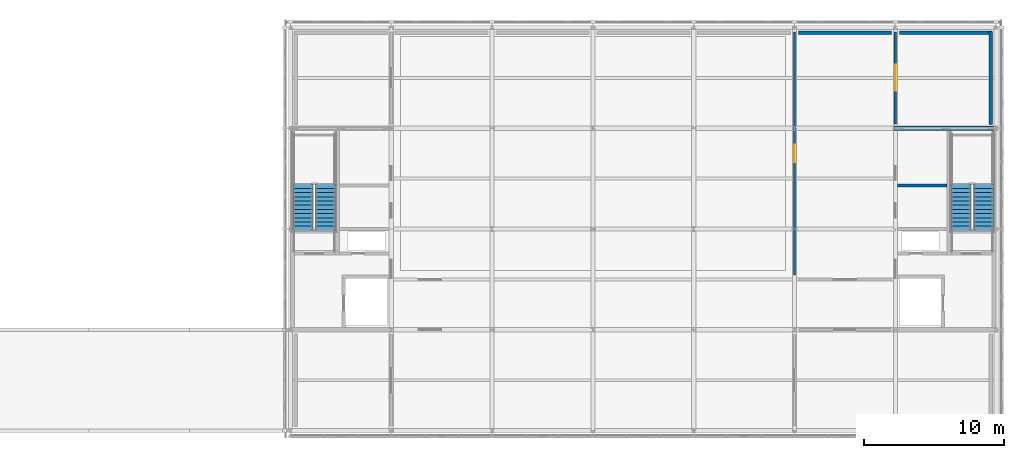
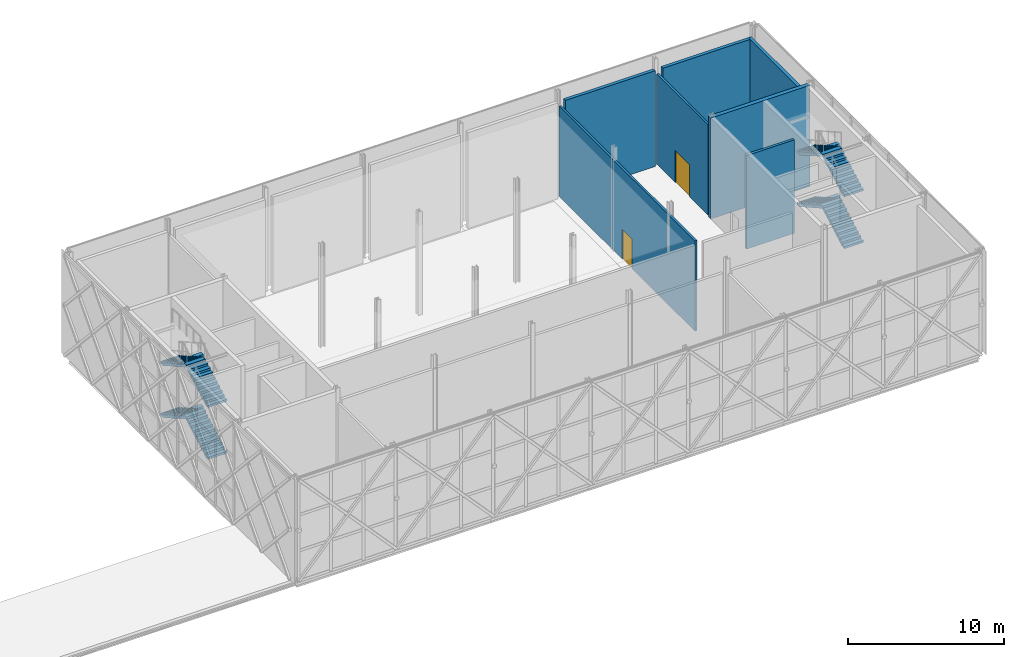
# One storey, part 71 of 76: 8 stair flights, 7 walls, 2 doors, 2 openings, 2 elements without a shape of their own.
"""IFC4 building model written with IfcOpenShell, lengths in metres."""

import ifcopenshell
import ifcopenshell.guid

model = None  # the IFC model being written
_history = None  # IfcOwnerHistory: only IFC2X3 demands one
_inside = {}  # id of a spatial element -> (the spatial element, [elements in it])
_under = {}  # id of a project, library or spatial element -> (it, [spatial elements below it])
_declared = {}  # id of a project -> (the project, [libraries it declares])
_typed = {}  # id of a type object -> (the type object, [elements of that type])
_made_of = {}  # id of a material, layer set ... -> (it, [elements and type objects made of it])


def new_model(schema):
    """Start an empty IFC model of exactly this schema.

    Asked for "IFC4X3", IfcOpenShell would pick the latest addendum, in which some entities
    have other attributes; the version numbers below select the first issue.
    IFC2X3 requires an IfcOwnerHistory on every rooted entity: one is made here for all.
    """
    global model, _history
    if schema == "IFC4X3":
        model = ifcopenshell.file(schema_version=(4, 3, 0, 0))
    else:
        model = ifcopenshell.file(schema=schema)
    _inside.clear()
    _under.clear()
    _declared.clear()
    _typed.clear()
    _made_of.clear()
    _history = None
    if model.schema == "IFC2X3":
        org = make("IfcOrganization", Name="unknown")
        user = make(
            "IfcPersonAndOrganization",
            ThePerson=make("IfcPerson", FamilyName="unknown"),
            TheOrganization=org,
        )
        app = make(
            "IfcApplication",
            ApplicationDeveloper=org,
            Version="unknown",
            ApplicationFullName="unknown",
            ApplicationIdentifier="unknown",
        )
        _history = make(
            "IfcOwnerHistory",
            OwningUser=user,
            OwningApplication=app,
            ChangeAction="ADDED",
            CreationDate=0,
        )
    return model


def make(cls, **values):
    """One entity of the class cls with the attributes given. An attribute that is None is left unset."""
    return model.create_entity(
        cls, **{name: value for name, value in values.items() if value is not None}
    )


def rooted(cls, **values):
    """An entity with a GlobalId (a new one), such as an element, a storey or a relation."""
    return make(cls, GlobalId=ifcopenshell.guid.new(), OwnerHistory=_history, **values)


def si_unit(unit_type, name, prefix=None):
    """IfcSIUnit, for example si_unit("LENGTHUNIT", "METRE", prefix="MILLI")."""
    return make("IfcSIUnit", UnitType=unit_type, Prefix=prefix, Name=name)


def assignment(units):
    """IfcUnitAssignment: the units of a project."""
    return None if units is None else make("IfcUnitAssignment", Units=units)


def point(xyz):
    """IfcCartesianPoint."""
    return None if xyz is None else make("IfcCartesianPoint", Coordinates=xyz)


def direction(xyz):
    """IfcDirection."""
    return None if xyz is None else make("IfcDirection", DirectionRatios=xyz)


def frame(location, z_axis=None, x_axis=None):
    """IfcAxis2Placement3D, a coordinate frame: its origin and axes. An axis left out is left unset."""
    return make(
        "IfcAxis2Placement3D",
        Location=point(location),
        Axis=direction(z_axis),
        RefDirection=direction(x_axis),
    )


def frame_2d(location, x_axis=None):
    """IfcAxis2Placement2D, a coordinate frame in the plane: its origin and x axis."""
    return make(
        "IfcAxis2Placement2D", Location=point(location), RefDirection=direction(x_axis)
    )


def origin():
    """The frame at (0, 0, 0) with its axes left unset."""
    return frame((0.0, 0.0, 0.0))


def place(relative_to, where):
    """IfcLocalPlacement: puts the frame where relative to a parent placement (None: the world)."""
    return make(
        "IfcLocalPlacement", PlacementRelTo=relative_to, RelativePlacement=where
    )


def context(
    kind, dimensions, precision=None, world=None, true_north=None, identifier=None
):
    """IfcGeometricRepresentationContext, for example the 3D "Model" context."""
    return make(
        "IfcGeometricRepresentationContext",
        ContextIdentifier=identifier,
        ContextType=kind,
        CoordinateSpaceDimension=dimensions,
        Precision=precision,
        WorldCoordinateSystem=world,
        TrueNorth=true_north,
    )


def subcontext(parent, identifier, kind, view, scale=None):
    """IfcGeometricRepresentationSubContext, for example "Body" below "Model"."""
    return make(
        "IfcGeometricRepresentationSubContext",
        ContextIdentifier=identifier,
        ContextType=kind,
        ParentContext=parent,
        TargetScale=scale,
        TargetView=view,
    )


def project(units=None, contexts=None):
    """IfcProject with its units and contexts."""
    return rooted(
        "IfcProject",
        Name="project",
        RepresentationContexts=contexts,
        UnitsInContext=assignment(units),
    )


def spatial(cls, under=None, at=None, **own):
    """A site, building, storey or space (cls), placed at a placement, below another one or the project."""
    s = rooted(cls, ObjectPlacement=at, **own)
    if under is not None:
        _under.setdefault(under.id(), (under, []))[1].append(s)
    return s


def polyline(points):
    """IfcPolyline through the points."""
    return make("IfcPolyline", Points=[point(p) for p in points])


def profile(cls, at=None, kind="AREA", **sizes):
    """A parametric profile (cls). Its sizes go by their IFC names, for example OverallWidth=200.0."""
    return make(cls, ProfileType=kind, Position=at, **sizes)


def rectangle(**sizes):
    """IfcRectangleProfileDef."""
    return profile("IfcRectangleProfileDef", **sizes)


def outline(outer, holes=None, kind="AREA"):
    """IfcArbitraryClosedProfileDef: a profile drawn as a closed curve; with holes, ...WithVoids."""
    if holes is None:
        return make("IfcArbitraryClosedProfileDef", ProfileType=kind, OuterCurve=outer)
    return make(
        "IfcArbitraryProfileDefWithVoids",
        ProfileType=kind,
        OuterCurve=outer,
        InnerCurves=holes,
    )


def extrude(swept, where, along, depth):
    """IfcExtrudedAreaSolid: the profile swept, set in the frame where, extruded along a direction by depth."""
    return make(
        "IfcExtrudedAreaSolid",
        SweptArea=swept,
        Position=where,
        ExtrudedDirection=direction(along),
        Depth=depth,
    )


def shape(context_of_items, identifier, shape_type, items):
    """IfcShapeRepresentation: the items that make up one representation, for example the "Body"."""
    return make(
        "IfcShapeRepresentation",
        ContextOfItems=context_of_items,
        RepresentationIdentifier=identifier,
        RepresentationType=shape_type,
        Items=items,
    )


def material(Name=None, Category=None):
    """IfcMaterial."""
    return make("IfcMaterial", Name=Name, Category=Category)


def layer(
    of_material, thickness, ventilated=None, Name=None, Category=None, Priority=None
):
    """IfcMaterialLayer: one layer of a wall or slab, of a material (None: an air gap)."""
    return make(
        "IfcMaterialLayer",
        Material=of_material,
        LayerThickness=thickness,
        IsVentilated=ventilated,
        Name=Name,
        Category=Category,
        Priority=Priority,
    )


def layer_set(layers, Name=None):
    """IfcMaterialLayerSet."""
    return make("IfcMaterialLayerSet", MaterialLayers=layers, LayerSetName=Name)


def made_of(thing, what):
    """Note that an element or type object is made of a material, layer set ...; save() writes the relation."""
    if what is not None:
        _made_of.setdefault(what.id(), (what, []))[1].append(thing)
    return thing


def type_object(cls, material=None, **own):
    """A type object (cls), such as IfcWallType, which elements share."""
    return made_of(rooted(cls, **own), material)


def element(
    cls,
    number,
    at=None,
    inside=None,
    cuts=None,
    type_object=None,
    material=None,
    context=None,
    identifier="Body",
    shape_type=None,
    held_by="IfcProductDefinitionShape",
    body=None,
    shapes=None,
    **own,
):
    """One element of the class cls, such as IfcWall. Its Tag is "e" and its number.

    at: its placement. inside: the storey or other place that contains it. cuts: it is an
    opening in that element (IfcRelVoidsElement). A single representation is given by context,
    identifier, shape_type and body (its items); several are given by shapes. held_by: the class
    of the entity that holds the representations. save() writes the other relations.
    """
    e = rooted(cls, Tag="e%d" % number, ObjectPlacement=at, **own)
    if body is not None:
        shapes = [shape(context, identifier, shape_type, body)]
    if shapes is not None:
        e.Representation = make(held_by, Representations=shapes)
    if inside is not None:
        _inside.setdefault(inside.id(), (inside, []))[1].append(e)
    if cuts is not None:
        rooted(
            "IfcRelVoidsElement", RelatingBuildingElement=cuts, RelatedOpeningElement=e
        )
    if type_object is not None:
        _typed.setdefault(type_object.id(), (type_object, []))[1].append(e)
    return made_of(e, material)


def fill(opening, filler):
    """IfcRelFillsElement: the door or window that sits in an opening."""
    return rooted(
        "IfcRelFillsElement",
        RelatingOpeningElement=opening,
        RelatedBuildingElement=filler,
    )


def aggregate(whole, parts):
    """IfcRelAggregates: a whole, such as a stair, and the parts it consists of."""
    return rooted("IfcRelAggregates", RelatingObject=whole, RelatedObjects=parts)


def save(model, path):
    """Write the relations noted so far, then the file.

    IfcRelAggregates (storeys below a building ...), IfcRelContainedInSpatialStructure (elements
    in a storey), IfcRelDefinesByType, IfcRelAssociatesMaterial and IfcRelDeclares: one each for
    every whole, place, type object, material and project.
    """
    for whole, parts in _under.values():
        aggregate(whole, parts)
    for where, things in _inside.values():
        rooted(
            "IfcRelContainedInSpatialStructure",
            RelatedElements=things,
            RelatingStructure=where,
        )
    for kind, things in _typed.values():
        rooted("IfcRelDefinesByType", RelatedObjects=things, RelatingType=kind)
    for what, things in _made_of.values():
        rooted("IfcRelAssociatesMaterial", RelatedObjects=things, RelatingMaterial=what)
    for by, libraries in _declared.values():
        rooted("IfcRelDeclares", RelatingContext=by, RelatedDefinitions=libraries)
    model.write(path)


model = new_model("IFC4")

# Units and contexts
model_context = context("Model", 3, precision=1e-05, world=origin(), true_north=direction((0.0, 1.0)))
body_context = subcontext(model_context, "Body", "Model", "MODEL_VIEW")
ifc_project = project(units=[si_unit("LENGTHUNIT", "METRE"), si_unit("AREAUNIT", "SQUARE_METRE"), si_unit("VOLUMEUNIT", "CUBIC_METRE"), si_unit("PLANEANGLEUNIT", "RADIAN"), si_unit("MASSUNIT", "GRAM", prefix="KILO")], contexts=[model_context])

# Site, building, storey
site_placement = place(None, origin())
site = spatial("IfcSite", under=ifc_project, at=site_placement, CompositionType="ELEMENT")
building_placement = place(site_placement, origin())
building = spatial("IfcBuilding", under=site, at=building_placement, Name="Zlatovets Crest Museum", CompositionType="ELEMENT")
storey_placement = place(building_placement, frame((0.0, 0.0, 17.10009765625)))
storey = spatial("IfcBuildingStorey", under=building, at=storey_placement, Name="L04", CompositionType="ELEMENT", Elevation=17.10009765625)

# Walls
ifc_material_1 = material(Name="Concrete C35/45", Category="concrete")
ifc_layer_1 = layer(ifc_material_1, 0.300048828125)
ifc_layer_set_1 = layer_set([ifc_layer_1], Name="Concrete C35/45")
wall_type_1 = type_object("IfcWallType", Name="CoreWall_SW01", PredefinedType="SHEAR", material=ifc_layer_set_1)
wall_1_placement = place(storey_placement, frame((100.64990234375, 108.0, 0.0), z_axis=(0.0, 0.0, 1.0), x_axis=(1.0, 0.0, 0.0)))
element("IfcWall", 1, at=wall_1_placement, inside=storey, type_object=wall_type_1, Name="Core C6 L04 North Shear Wall", PredefinedType="SHEAR", context=body_context, shape_type="SweptSolid", body=[
    extrude(rectangle(XDim=7.35009765625, YDim=0.300048828125, at=frame_2d((3.675048828125, 0.0))), origin(), (0.0, 0.0, 1.0), 7.8798828125),
])
ifc_material_2 = material(Name="Insulated gallery conservation liner wall", Category="concrete")
ifc_layer_2 = layer(ifc_material_2, 0.300048828125)
ifc_layer_set_2 = layer_set([ifc_layer_2], Name="Insulated gallery conservation liner wall")
wall_type_2 = type_object("IfcWallType", Name="ExtWall_EW-02", PredefinedType="STANDARD", material=ifc_layer_set_2)
for number, where, z_axis, x_axis, name in (
    (2, (107.6201171875, 108.280029296875, 0.0), (0.0, 0.0, 1.0), (0.0, 1.0, 0.0), "V1 L04 Interior Conservation Gallery Liner Wall"),
    (3, (107.719970703125, 114.820068359375, 0.0), (0.0, 0.0, 1.0), (-1.0, 0.0, 0.0), "V1 L04 Interior Conservation Gallery Liner Wall"),
):
    element("IfcWall", number, at=place(storey_placement, frame(where, z_axis=z_axis, x_axis=x_axis)), inside=storey, type_object=wall_type_2, Name=name, PredefinedType="STANDARD", context=body_context, shape_type="SweptSolid", body=[
        extrude(rectangle(XDim=6.639892578125, YDim=0.239990234375, at=frame_2d((3.31982421875, 0.0))), origin(), (0.0, 0.0, 1.0), 7.47998046875),
    ])
wall_2_placement = place(storey_placement, frame((100.52001953125, 114.820068359375, 0.0), z_axis=(0.0, 0.0, 1.0), x_axis=(-1.0, 0.0, 0.0)))
element("IfcWall", 4, at=wall_2_placement, inside=storey, type_object=wall_type_2, Name="V1 L04 Interior Conservation Gallery Liner Wall", PredefinedType="STANDARD", context=body_context, shape_type="SweptSolid", body=[
    extrude(rectangle(XDim=6.64013671875, YDim=0.239990234375, at=frame_2d((3.320068359375, 0.0))), origin(), (0.0, 0.0, 1.0), 7.47998046875),
])

# Wall, opening, door
ifc_material_3 = material(Name="Acoustic museum gallery stud partition")
ifc_layer_3 = layer(ifc_material_3, 0.159912109375)
ifc_layer_set_3 = layer_set([ifc_layer_3], Name="Acoustic museum gallery stud partition")
wall_type_3 = type_object("IfcWallType", Name="PartWall_PT-02", PredefinedType="PARTITIONING", material=ifc_layer_set_3)
wall_3_placement = place(storey_placement, frame((93.60009765625, 97.52001953125, 0.0), z_axis=(0.0, 0.0, 1.0), x_axis=(0.0, 1.0, 0.0)))
wall_3 = element("IfcWall", 5, at=wall_3_placement, inside=storey, type_object=wall_type_3, Name="V1 L04 Interior Partition PT-02", PredefinedType="PARTITIONING", context=body_context, shape_type="SweptSolid", body=[
    extrude(rectangle(XDim=17.35986328125, YDim=0.159912109375, at=frame_2d((8.679931640625, 0.0))), origin(), (0.0, 0.0, 1.0), 7.0498046875),
])
opening_1_placement = place(wall_3_placement, frame((8.054931640625, 0.0, 0.0)))
opening_1 = element("IfcOpeningElement", 6, at=opening_1_placement, cuts=wall_3, Name="Opening ID-11", PredefinedType="OPENING", context=body_context, shape_type="SweptSolid", body=[
    extrude(rectangle(XDim=1.25, YDim=2.300048828125, at=frame_2d((0.625, 1.14990234375))), frame((0.0, 0.08984375, 0.0), z_axis=(0.0, -1.0, 0.0), x_axis=(1.0, 0.0, 0.0)), (0.0, 0.0, 1.0), 0.179931640625),
])
ifc_material_4 = material(Name="Conservation lab wide leaf door")
door_type_1 = type_object("IfcDoorType", Name="IntDoor_ID-11", OperationType="NOTDEFINED", PredefinedType="DOOR", material=ifc_material_4)
door_1_placement = place(opening_1_placement, origin())
door_1 = element("IfcDoor", 7, at=door_1_placement, inside=storey, type_object=door_type_1, Name="IDOOR-V1-L04-0212 Double-Height Grand Sculpture Hall to Monumental Painting Conservation Studio Door", OperationType="SINGLE_SWING_LEFT", OverallHeight=2.300048828125, OverallWidth=1.25, PredefinedType="DOOR", context=body_context, shape_type="SweptSolid", body=[
    extrude(rectangle(XDim=1.25, YDim=2.300048828125, at=frame_2d((0.625, 1.14990234375))), frame((0.0, 0.02490234375, 0.0), z_axis=(0.0, -1.0, 0.0), x_axis=(1.0, 0.0, 0.0)), (0.0, 0.0, 1.0), 0.050048828125),
])
fill(opening_1, door_1)

wall_4_placement = place(storey_placement, frame((100.800048828125, 108.320068359375, 0.0), z_axis=(0.0, 0.0, 1.0), x_axis=(0.0, 1.0, 0.0)))
wall_4 = element("IfcWall", 8, at=wall_4_placement, inside=storey, type_object=wall_type_3, Name="V1 L04 Interior Partition PT-02", PredefinedType="PARTITIONING", context=body_context, shape_type="SweptSolid", body=[
    extrude(rectangle(XDim=6.559814453125, YDim=0.159912109375, at=frame_2d((3.27978515625, 0.0))), origin(), (0.0, 0.0, 1.0), 7.0498046875),
])
opening_2_placement = place(wall_4_placement, frame((2.35498046875, 0.0, 0.0)))
opening_2 = element("IfcOpeningElement", 9, at=opening_2_placement, cuts=wall_4, Name="Opening ID-15", PredefinedType="OPENING", context=body_context, shape_type="SweptSolid", body=[
    extrude(rectangle(XDim=1.85009765625, YDim=2.5, at=frame_2d((0.925048828125, 1.25))), frame((0.0, 0.08984375, 0.0), z_axis=(0.0, -1.0, 0.0), x_axis=(1.0, 0.0, 0.0)), (0.0, 0.0, 1.0), 0.179931640625),
])
ifc_material_5 = material(Name="Painting gallery enfilade portal")
door_type_2 = type_object("IfcDoorType", Name="IntDoor_ID-15", OperationType="DOUBLE_DOOR_SINGLE_SWING", PredefinedType="DOOR", material=ifc_material_5)
door_2_placement = place(opening_2_placement, origin())
door_2 = element("IfcDoor", 10, at=door_2_placement, inside=storey, type_object=door_type_2, Name="IDOOR-V1-L04-0216 Monumental Painting Conservation Studio to Frieze Photogrammetry Lab Door", OperationType="DOUBLE_DOOR_SINGLE_SWING", OverallHeight=2.5, OverallWidth=1.85009765625, PredefinedType="DOOR", context=body_context, shape_type="SweptSolid", body=[
    extrude(rectangle(XDim=1.85009765625, YDim=2.5, at=frame_2d((0.925048828125, 1.25))), frame((0.0, 0.02490234375, 0.0), z_axis=(0.0, -1.0, 0.0), x_axis=(1.0, 0.0, 0.0)), (0.0, 0.0, 1.0), 0.050048828125),
])
fill(opening_2, door_2)

# Wall
ifc_material_6 = material(Name="Sanitary core acoustic service wall")
ifc_layer_4 = layer(ifc_material_6, 0.219970703125)
ifc_layer_set_4 = layer_set([ifc_layer_4], Name="Sanitary core acoustic service wall")
wall_type_4 = type_object("IfcWallType", Name="PartWall_PT-04", PredefinedType="PLUMBINGWALL", material=ifc_layer_set_4)
wall_5_placement = place(storey_placement, frame((100.949951171875, 103.89990234375, 0.0), z_axis=(0.0, 0.0, 1.0), x_axis=(1.0, 0.0, 0.0)))
element("IfcWall", 11, at=wall_5_placement, inside=storey, type_object=wall_type_4, Name="Core C6 L04 Sanitary Divider", PredefinedType="PLUMBINGWALL", context=body_context, shape_type="SweptSolid", body=[
    extrude(rectangle(XDim=3.550048828125, YDim=0.199951171875, at=frame_2d((1.77490234375, 0.0))), origin(), (0.0, 0.0, 1.0), 7.2998046875),
])

# Stair, stair flights
stair_type_1 = type_object("IfcStairType", Name="Stair_ST1-48R", PredefinedType="HALF_TURN_STAIR", material=ifc_material_1)
stair_1_placement = place(storey_placement, origin())
stair_1 = element("IfcStair", 12, at=stair_1_placement, inside=storey, type_object=stair_type_1, Name="L04 Core C1 Escape Stair ST1", PredefinedType="HALF_TURN_STAIR")
stair_flight_type_1 = type_object("IfcStairFlightType", Name="Flight_ST1F-12R", PredefinedType="STRAIGHT", material=ifc_material_1)
stair_flight_1_placement = place(storey_placement, frame((60.10009765625, 100.699951171875, 0.0), z_axis=(0.0, 0.0, 1.0), x_axis=(0.0, 1.0, 0.0)))
stair_flight_1 = element("IfcStairFlight", 13, at=stair_flight_1_placement, type_object=stair_flight_type_1, Name="ST1 flight 1", NumberOfRisers=12, NumberOfTreads=11, PredefinedType="STRAIGHT", RiserHeight=0.16875, TreadLength=0.3, context=body_context, shape_type="SweptSolid", body=[
    extrude(outline(polyline([(0.0, 0.0), (0.0, 0.168701171875), (0.300048828125, 0.168701171875), (0.300048828125, 0.33740234375), (0.60009765625, 0.33740234375), (0.60009765625, 0.50634765625), (0.89990234375, 0.50634765625), (0.89990234375, 0.675048828125), (1.199951171875, 0.675048828125), (1.199951171875, 0.84375), (1.5, 0.84375), (1.5, 1.012451171875), (1.800048828125, 1.012451171875), (1.800048828125, 1.18115234375), (2.10009765625, 1.18115234375), (2.10009765625, 1.35009765625), (2.39990234375, 1.35009765625), (2.39990234375, 1.518798828125), (2.699951171875, 1.518798828125), (2.699951171875, 1.6875), (3.0, 1.6875), (3.0, 1.856201171875), (3.300048828125, 1.856201171875), (3.300048828125, 2.02490234375), (3.300048828125, 1.684326171875), (0.3056640625, 0.0), (0.0, 0.0)])), frame((0.0, 0.699951171875, 0.0), z_axis=(0.0, -1.0, 0.0), x_axis=(1.0, 0.0, 0.0)), (0.0, 0.0, 1.0), 1.39990234375),
])
stair_flight_2_placement = place(storey_placement, frame((58.5, 104.0, 2.02490234375), z_axis=(0.0, 0.0, 1.0), x_axis=(0.0, -1.0, 0.0)))
stair_flight_2 = element("IfcStairFlight", 14, at=stair_flight_2_placement, type_object=stair_flight_type_1, Name="ST1 flight 2", NumberOfRisers=12, NumberOfTreads=11, PredefinedType="STRAIGHT", RiserHeight=0.16875, TreadLength=0.3, context=body_context, shape_type="SweptSolid", body=[
    extrude(outline(polyline([(0.0, 0.0), (0.0, 0.168701171875), (0.300048828125, 0.168701171875), (0.300048828125, 0.33740234375), (0.60009765625, 0.33740234375), (0.60009765625, 0.50634765625), (0.89990234375, 0.50634765625), (0.89990234375, 0.675048828125), (1.199951171875, 0.675048828125), (1.199951171875, 0.84375), (1.5, 0.84375), (1.5, 1.012451171875), (1.800048828125, 1.012451171875), (1.800048828125, 1.18115234375), (2.10009765625, 1.18115234375), (2.10009765625, 1.35009765625), (2.39990234375, 1.35009765625), (2.39990234375, 1.518798828125), (2.699951171875, 1.518798828125), (2.699951171875, 1.6875), (3.0, 1.6875), (3.0, 1.856201171875), (3.300048828125, 1.856201171875), (3.300048828125, 2.02490234375), (3.300048828125, 1.684326171875), (0.3056640625, 0.0), (0.0, 0.0)])), frame((0.0, 0.699951171875, 0.0), z_axis=(0.0, -1.0, 0.0), x_axis=(1.0, 0.0, 0.0)), (0.0, 0.0, 1.0), 1.39990234375),
])
stair_flight_3_placement = place(storey_placement, frame((60.10009765625, 100.699951171875, 4.0498046875), z_axis=(0.0, 0.0, 1.0), x_axis=(0.0, 1.0, 0.0)))
stair_flight_3 = element("IfcStairFlight", 15, at=stair_flight_3_placement, type_object=stair_flight_type_1, Name="ST1 flight 3", NumberOfRisers=12, NumberOfTreads=11, PredefinedType="STRAIGHT", RiserHeight=0.16875, TreadLength=0.3, context=body_context, shape_type="SweptSolid", body=[
    extrude(outline(polyline([(0.0, 0.0), (0.0, 0.168701171875), (0.300048828125, 0.168701171875), (0.300048828125, 0.33740234375), (0.60009765625, 0.33740234375), (0.60009765625, 0.50634765625), (0.89990234375, 0.50634765625), (0.89990234375, 0.675048828125), (1.199951171875, 0.675048828125), (1.199951171875, 0.84375), (1.5, 0.84375), (1.5, 1.012451171875), (1.800048828125, 1.012451171875), (1.800048828125, 1.18115234375), (2.10009765625, 1.18115234375), (2.10009765625, 1.35009765625), (2.39990234375, 1.35009765625), (2.39990234375, 1.518798828125), (2.699951171875, 1.518798828125), (2.699951171875, 1.6875), (3.0, 1.6875), (3.0, 1.856201171875), (3.300048828125, 1.856201171875), (3.300048828125, 2.02490234375), (3.300048828125, 1.684326171875), (0.3056640625, 0.0), (0.0, 0.0)])), frame((0.0, 0.699951171875, 0.0), z_axis=(0.0, -1.0, 0.0), x_axis=(1.0, 0.0, 0.0)), (0.0, 0.0, 1.0), 1.39990234375),
])
stair_flight_4_placement = place(storey_placement, frame((58.5, 104.0, 6.074951171875), z_axis=(0.0, 0.0, 1.0), x_axis=(0.0, -1.0, 0.0)))
stair_flight_4 = element("IfcStairFlight", 16, at=stair_flight_4_placement, type_object=stair_flight_type_1, Name="ST1 flight 4", NumberOfRisers=12, NumberOfTreads=11, PredefinedType="STRAIGHT", RiserHeight=0.16875, TreadLength=0.3, context=body_context, shape_type="SweptSolid", body=[
    extrude(outline(polyline([(0.0, 0.0), (0.0, 0.168701171875), (0.300048828125, 0.168701171875), (0.300048828125, 0.33740234375), (0.60009765625, 0.33740234375), (0.60009765625, 0.50634765625), (0.89990234375, 0.50634765625), (0.89990234375, 0.675048828125), (1.199951171875, 0.675048828125), (1.199951171875, 0.84375), (1.5, 0.84375), (1.5, 1.012451171875), (1.800048828125, 1.012451171875), (1.800048828125, 1.18115234375), (2.10009765625, 1.18115234375), (2.10009765625, 1.35009765625), (2.39990234375, 1.35009765625), (2.39990234375, 1.518798828125), (2.699951171875, 1.518798828125), (2.699951171875, 1.6875), (3.0, 1.6875), (3.0, 1.856201171875), (3.300048828125, 1.856201171875), (3.300048828125, 2.02490234375), (3.300048828125, 1.684326171875), (0.3056640625, 0.0), (0.0, 0.0)])), frame((0.0, 0.699951171875, 0.0), z_axis=(0.0, -1.0, 0.0), x_axis=(1.0, 0.0, 0.0)), (0.0, 0.0, 1.0), 1.39990234375),
])
aggregate(stair_1, [stair_flight_1, stair_flight_2, stair_flight_3, stair_flight_4])

stair_type_2 = type_object("IfcStairType", Name="Stair_ST7-48R", PredefinedType="HALF_TURN_STAIR", material=ifc_material_1)
stair_2_placement = place(storey_placement, origin())
stair_2 = element("IfcStair", 17, at=stair_2_placement, inside=storey, type_object=stair_type_2, Name="L04 Core C6 Escape Stair ST7", PredefinedType="HALF_TURN_STAIR")
stair_flight_type_2 = type_object("IfcStairFlightType", Name="Flight_ST7F-12R", PredefinedType="STRAIGHT", material=ifc_material_1)
stair_flight_5_placement = place(storey_placement, frame((107.10009765625, 100.699951171875, 0.0), z_axis=(0.0, 0.0, 1.0), x_axis=(0.0, 1.0, 0.0)))
stair_flight_5 = element("IfcStairFlight", 18, at=stair_flight_5_placement, type_object=stair_flight_type_2, Name="ST7 flight 1", NumberOfRisers=12, NumberOfTreads=11, PredefinedType="STRAIGHT", RiserHeight=0.16875, TreadLength=0.3, context=body_context, shape_type="SweptSolid", body=[
    extrude(outline(polyline([(0.0, 0.0), (0.0, 0.168701171875), (0.300048828125, 0.168701171875), (0.300048828125, 0.33740234375), (0.60009765625, 0.33740234375), (0.60009765625, 0.50634765625), (0.89990234375, 0.50634765625), (0.89990234375, 0.675048828125), (1.199951171875, 0.675048828125), (1.199951171875, 0.84375), (1.5, 0.84375), (1.5, 1.012451171875), (1.800048828125, 1.012451171875), (1.800048828125, 1.18115234375), (2.10009765625, 1.18115234375), (2.10009765625, 1.35009765625), (2.39990234375, 1.35009765625), (2.39990234375, 1.518798828125), (2.699951171875, 1.518798828125), (2.699951171875, 1.6875), (3.0, 1.6875), (3.0, 1.856201171875), (3.300048828125, 1.856201171875), (3.300048828125, 2.02490234375), (3.300048828125, 1.684326171875), (0.3056640625, 0.0), (0.0, 0.0)])), frame((0.0, 0.699951171875, 0.0), z_axis=(0.0, -1.0, 0.0), x_axis=(1.0, 0.0, 0.0)), (0.0, 0.0, 1.0), 1.39990234375),
])
stair_flight_6_placement = place(storey_placement, frame((105.5, 104.0, 2.02490234375), z_axis=(0.0, 0.0, 1.0), x_axis=(0.0, -1.0, 0.0)))
stair_flight_6 = element("IfcStairFlight", 19, at=stair_flight_6_placement, type_object=stair_flight_type_2, Name="ST7 flight 2", NumberOfRisers=12, NumberOfTreads=11, PredefinedType="STRAIGHT", RiserHeight=0.16875, TreadLength=0.3, context=body_context, shape_type="SweptSolid", body=[
    extrude(outline(polyline([(0.0, 0.0), (0.0, 0.168701171875), (0.300048828125, 0.168701171875), (0.300048828125, 0.33740234375), (0.60009765625, 0.33740234375), (0.60009765625, 0.50634765625), (0.89990234375, 0.50634765625), (0.89990234375, 0.675048828125), (1.199951171875, 0.675048828125), (1.199951171875, 0.84375), (1.5, 0.84375), (1.5, 1.012451171875), (1.800048828125, 1.012451171875), (1.800048828125, 1.18115234375), (2.10009765625, 1.18115234375), (2.10009765625, 1.35009765625), (2.39990234375, 1.35009765625), (2.39990234375, 1.518798828125), (2.699951171875, 1.518798828125), (2.699951171875, 1.6875), (3.0, 1.6875), (3.0, 1.856201171875), (3.300048828125, 1.856201171875), (3.300048828125, 2.02490234375), (3.300048828125, 1.684326171875), (0.3056640625, 0.0), (0.0, 0.0)])), frame((0.0, 0.699951171875, 0.0), z_axis=(0.0, -1.0, 0.0), x_axis=(1.0, 0.0, 0.0)), (0.0, 0.0, 1.0), 1.39990234375),
])
stair_flight_7_placement = place(storey_placement, frame((107.10009765625, 100.699951171875, 4.0498046875), z_axis=(0.0, 0.0, 1.0), x_axis=(0.0, 1.0, 0.0)))
stair_flight_7 = element("IfcStairFlight", 20, at=stair_flight_7_placement, type_object=stair_flight_type_2, Name="ST7 flight 3", NumberOfRisers=12, NumberOfTreads=11, PredefinedType="STRAIGHT", RiserHeight=0.16875, TreadLength=0.3, context=body_context, shape_type="SweptSolid", body=[
    extrude(outline(polyline([(0.0, 0.0), (0.0, 0.168701171875), (0.300048828125, 0.168701171875), (0.300048828125, 0.33740234375), (0.60009765625, 0.33740234375), (0.60009765625, 0.50634765625), (0.89990234375, 0.50634765625), (0.89990234375, 0.675048828125), (1.199951171875, 0.675048828125), (1.199951171875, 0.84375), (1.5, 0.84375), (1.5, 1.012451171875), (1.800048828125, 1.012451171875), (1.800048828125, 1.18115234375), (2.10009765625, 1.18115234375), (2.10009765625, 1.35009765625), (2.39990234375, 1.35009765625), (2.39990234375, 1.518798828125), (2.699951171875, 1.518798828125), (2.699951171875, 1.6875), (3.0, 1.6875), (3.0, 1.856201171875), (3.300048828125, 1.856201171875), (3.300048828125, 2.02490234375), (3.300048828125, 1.684326171875), (0.3056640625, 0.0), (0.0, 0.0)])), frame((0.0, 0.699951171875, 0.0), z_axis=(0.0, -1.0, 0.0), x_axis=(1.0, 0.0, 0.0)), (0.0, 0.0, 1.0), 1.39990234375),
])
stair_flight_8_placement = place(storey_placement, frame((105.5, 104.0, 6.074951171875), z_axis=(0.0, 0.0, 1.0), x_axis=(0.0, -1.0, 0.0)))
stair_flight_8 = element("IfcStairFlight", 21, at=stair_flight_8_placement, type_object=stair_flight_type_2, Name="ST7 flight 4", NumberOfRisers=12, NumberOfTreads=11, PredefinedType="STRAIGHT", RiserHeight=0.16875, TreadLength=0.3, context=body_context, shape_type="SweptSolid", body=[
    extrude(outline(polyline([(0.0, 0.0), (0.0, 0.168701171875), (0.300048828125, 0.168701171875), (0.300048828125, 0.33740234375), (0.60009765625, 0.33740234375), (0.60009765625, 0.50634765625), (0.89990234375, 0.50634765625), (0.89990234375, 0.675048828125), (1.199951171875, 0.675048828125), (1.199951171875, 0.84375), (1.5, 0.84375), (1.5, 1.012451171875), (1.800048828125, 1.012451171875), (1.800048828125, 1.18115234375), (2.10009765625, 1.18115234375), (2.10009765625, 1.35009765625), (2.39990234375, 1.35009765625), (2.39990234375, 1.518798828125), (2.699951171875, 1.518798828125), (2.699951171875, 1.6875), (3.0, 1.6875), (3.0, 1.856201171875), (3.300048828125, 1.856201171875), (3.300048828125, 2.02490234375), (3.300048828125, 1.684326171875), (0.3056640625, 0.0), (0.0, 0.0)])), frame((0.0, 0.699951171875, 0.0), z_axis=(0.0, -1.0, 0.0), x_axis=(1.0, 0.0, 0.0)), (0.0, 0.0, 1.0), 1.39990234375),
])
aggregate(stair_2, [stair_flight_5, stair_flight_6, stair_flight_7, stair_flight_8])

save(model, "model.ifc")
